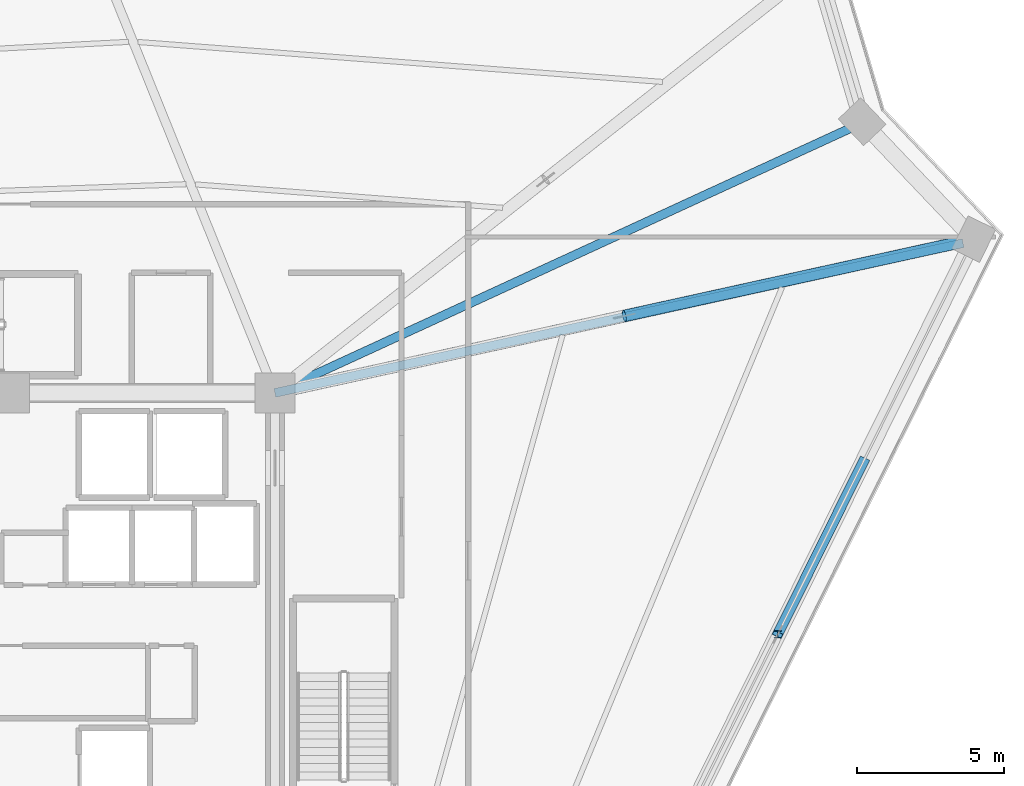
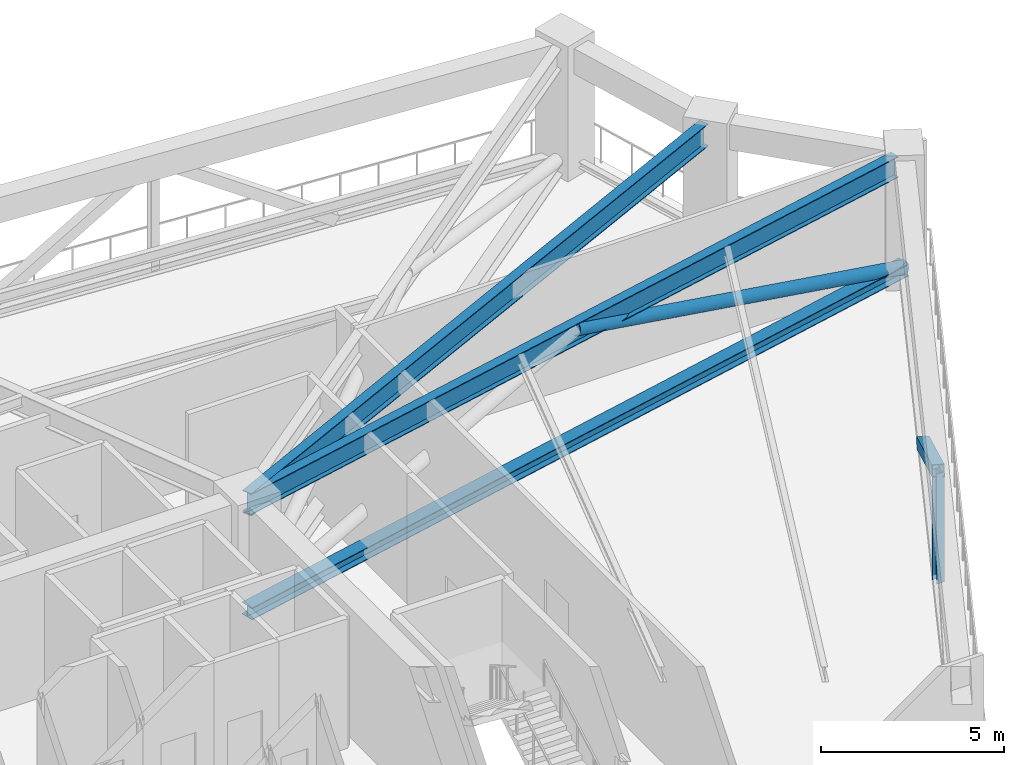
# One storey, part 9 of 25: 4 members, 2 beams.
"""IFC4 building model written with IfcOpenShell, lengths in metres."""

from ifc_helpers import new_model, si_unit, direction, frame, origin, origin_2d, place, context, subcontext, project, spatial, hollow_rectangle, hollow_circle, i_section, extrude, source, transform, mapped, material, material_profile, profile_set, type_object, element, save


model = new_model("IFC4")

# Units and contexts
model_context = context("Model", 3, precision=1e-05, world=origin(), true_north=direction((0.0, 1.0)))
body_context = subcontext(model_context, "Body", "Model", "MODEL_VIEW")
ifc_project = project(units=[si_unit("LENGTHUNIT", "METRE"), si_unit("AREAUNIT", "SQUARE_METRE"), si_unit("VOLUMEUNIT", "CUBIC_METRE"), si_unit("PLANEANGLEUNIT", "RADIAN"), si_unit("MASSUNIT", "GRAM", prefix="KILO")], contexts=[model_context])

# Site, building, storey
site_placement = place(None, origin())
site = spatial("IfcSite", under=ifc_project, at=site_placement, CompositionType="ELEMENT")
building_placement = place(site_placement, origin())
building = spatial("IfcBuilding", under=site, at=building_placement, Name="Liaohun Quay Tower", CompositionType="ELEMENT")
storey_placement = place(building_placement, frame((0.0, 0.0, 231.75)))
storey = spatial("IfcBuildingStorey", under=building, at=storey_placement, Name="L60", CompositionType="ELEMENT", Elevation=231.75)

# Member
ifc_material_1 = material(Name="Steel Q355D", Category="steel")
ifc_material_profile_1 = material_profile(ifc_material_1, i_section(OverallWidth=0.25, OverallDepth=0.25, WebThickness=0.009033203125, FlangeThickness=0.013916015625, at=origin_2d()), Name="HW250x250x9x14")
ifc_profile_set_1 = profile_set([ifc_material_profile_1], Name="Steel Q355D")
member_type_1 = type_object("IfcMemberType", Name="MEM-BLT-PST", PredefinedType="POST", material=ifc_profile_set_1)
shared_shape_1 = source(origin(), body_context, "Body", "SweptSolid", [
    extrude(i_section(OverallWidth=0.25, OverallDepth=0.25, WebThickness=0.009033203125, FlangeThickness=0.013916015625, at=origin_2d()), origin(), (0.0, 0.0, 1.0), 3.669921875),
])
member_1_placement = place(storey_placement, frame((86.071044921875, 53.304931640625, 0.35009765625), z_axis=(0.0, 0.0, 1.0), x_axis=(1.0, 0.0, 0.0)))
element("IfcMember", 1, at=member_1_placement, inside=storey, type_object=member_type_1, Name="L60 Belt Truss Vertical Post BP-1-05", PredefinedType="POST", context=body_context, shape_type="MappedRepresentation", body=[
    mapped(shared_shape_1, transform((0.0, 0.0, 0.0), x_axis=(1.0, 0.0, 0.0), y_axis=(0.0, 1.0, 0.0), z_axis=(0.0, 0.0, 1.0), scale=1.0)),
])

# Beams
ifc_material_profile_2 = material_profile(ifc_material_1, i_section(OverallWidth=0.300048828125, OverallDepth=0.75, WebThickness=0.013916015625, FlangeThickness=0.02587890625, at=origin_2d()), Name="HN750x300x14x26")
ifc_profile_set_2 = profile_set([ifc_material_profile_2], Name="Steel Q355D")
beam_type_1 = type_object("IfcBeamType", Name="BM-RAD-M2", PredefinedType="BEAM", material=ifc_profile_set_2)
shared_shape_2 = source(origin(), body_context, "Body", "SweptSolid", [
    extrude(i_section(OverallWidth=0.300048828125, OverallDepth=0.75, WebThickness=0.013916015625, FlangeThickness=0.02587890625, at=origin_2d()), origin(), (0.0, 0.0, 1.0), 21.5947265625),
])
beam_1_placement = place(storey_placement, frame((69.0, 61.5, 3.945068359375), z_axis=(0.908503930052, 0.417876308349, 0.0), x_axis=(-0.417876308349, 0.908503930052, 0.0)))
element("IfcBeam", 2, at=beam_1_placement, inside=storey, type_object=beam_type_1, Name="L60 Radial Primary Girder CC4-PC08", PredefinedType="BEAM", context=body_context, shape_type="MappedRepresentation", body=[
    mapped(shared_shape_2, transform((0.0, 0.0, 0.0), x_axis=(1.0, 0.0, 0.0), y_axis=(0.0, 1.0, 0.0), z_axis=(0.0, 0.0, 1.0), scale=1.0)),
])
ifc_material_profile_3 = material_profile(ifc_material_1, i_section(OverallWidth=0.300048828125, OverallDepth=0.699951171875, WebThickness=0.012939453125, FlangeThickness=0.02392578125, at=origin_2d()), Name="HN700x300x13x24")
ifc_profile_set_3 = profile_set([ifc_material_profile_3], Name="Steel Q355D")
beam_type_2 = type_object("IfcBeamType", Name="BM-RAD-U1", PredefinedType="BEAM", material=ifc_profile_set_3)
shared_shape_3 = source(origin(), body_context, "Body", "SweptSolid", [
    extrude(i_section(OverallWidth=0.300048828125, OverallDepth=0.699951171875, WebThickness=0.012939453125, FlangeThickness=0.02392578125, at=origin_2d()), origin(), (0.0, 0.0, 1.0), 23.913818359375),
])
beam_2_placement = place(storey_placement, frame((69.0, 61.5, 3.969970703125), z_axis=(0.977131285161, 0.212636900746, 0.0), x_axis=(-0.212636900746, 0.977131285161, 0.0)))
element("IfcBeam", 3, at=beam_2_placement, inside=storey, type_object=beam_type_2, Name="L60 Radial Primary Girder CC4-PC09", PredefinedType="BEAM", context=body_context, shape_type="MappedRepresentation", body=[
    mapped(shared_shape_3, transform((0.0, 0.0, 0.0), x_axis=(1.0, 0.0, 0.0), y_axis=(0.0, 1.0, 0.0), z_axis=(0.0, 0.0, 1.0), scale=1.0)),
])

# Members
ifc_material_2 = material(Name="Steel Q420D", Category="steel")
ifc_material_profile_4 = material_profile(ifc_material_2, i_section(OverallWidth=0.407958984375, OverallDepth=0.39990234375, WebThickness=0.02099609375, FlangeThickness=0.02099609375, at=origin_2d()), Name="HW400x408x21x21")
ifc_profile_set_4 = profile_set([ifc_material_profile_4], Name="Steel Q420D")
member_type_2 = type_object("IfcMemberType", Name="MEM-OUT-CH2", PredefinedType="CHORD", material=ifc_profile_set_4)
shared_shape_4 = source(origin(), body_context, "Body", "SweptSolid", [
    extrude(i_section(OverallWidth=0.407958984375, OverallDepth=0.39990234375, WebThickness=0.02099609375, FlangeThickness=0.02099609375, at=origin_2d()), origin(), (0.0, 0.0, 1.0), 24.297119140625),
])
member_2_placement = place(storey_placement, frame((69.0, 61.5, 0.35009765625), z_axis=(0.976622701504, 0.214960691537, 0.0), x_axis=(-0.214960691537, 0.976622701504, 0.0)))
element("IfcMember", 4, at=member_2_placement, inside=storey, type_object=member_type_2, Name="L60 Outrigger Bottom Chord OC-05", PredefinedType="CHORD", context=body_context, shape_type="MappedRepresentation", body=[
    mapped(shared_shape_4, transform((0.0, 0.0, 0.0), x_axis=(1.0, 0.0, 0.0), y_axis=(0.0, 1.0, 0.0), z_axis=(0.0, 0.0, 1.0), scale=1.0)),
])
ifc_material_profile_5 = material_profile(ifc_material_2, hollow_circle(Radius=0.202880859375, WallThickness=0.01611328125, at=origin_2d()), Name="CHS406x16")
ifc_profile_set_5 = profile_set([ifc_material_profile_5], Name="Steel Q420D")
member_type_3 = type_object("IfcMemberType", Name="MEM-OUT-DG2", PredefinedType="BRACE", material=ifc_profile_set_5)
shared_shape_5 = source(origin(), body_context, "Body", "SweptSolid", [
    extrude(hollow_circle(Radius=0.202880859375, WallThickness=0.01611328125, at=origin_2d()), origin(), (0.0, 0.0, 1.0), 12.691162109375),
])
member_3_placement = place(storey_placement, frame((80.864013671875, 64.112060546875, 4.02001953125), z_axis=(0.934909895555, 0.205722883662, -0.289173965513), x_axis=(-0.214904335547, 0.976635104101, 0.0)))
element("IfcMember", 5, at=member_3_placement, inside=storey, type_object=member_type_3, Name="L60 Outrigger Diagonal OD-05B", PredefinedType="BRACE", context=body_context, shape_type="MappedRepresentation", body=[
    mapped(shared_shape_5, transform((0.0, 0.0, 0.0), x_axis=(1.0, 0.0, 0.0), y_axis=(0.0, 1.0, 0.0), z_axis=(0.0, 0.0, 1.0), scale=1.0)),
])
ifc_material_profile_6 = material_profile(ifc_material_1, hollow_rectangle(XDim=0.35009765625, YDim=0.35009765625, WallThickness=0.01611328125, at=origin_2d()), Name="SHS350x350x16")
ifc_profile_set_6 = profile_set([ifc_material_profile_6], Name="Steel Q355D")
member_type_4 = type_object("IfcMemberType", Name="MEM-BLT-DG2", PredefinedType="BRACE", material=ifc_profile_set_6)
shared_shape_6 = source(origin(), body_context, "Body", "SweptSolid", [
    extrude(hollow_rectangle(XDim=0.35009765625, YDim=0.35009765625, WallThickness=0.01611328125, at=origin_2d()), origin(), (0.0, 0.0, 1.0), 7.5439453125),
])
member_4_placement = place(storey_placement, frame((89.0009765625, 59.208984375, 0.35009765625), z_axis=(-0.388383399547, -0.782624427236, 0.486474398967), x_axis=(0.895764057119, -0.444529812244, 0.0)))
element("IfcMember", 6, at=member_4_placement, inside=storey, type_object=member_type_4, Name="L60 Belt Truss Diagonal BD-05A", PredefinedType="BRACE", context=body_context, shape_type="MappedRepresentation", body=[
    mapped(shared_shape_6, transform((0.0, 0.0, 0.0), x_axis=(1.0, 0.0, 0.0), y_axis=(0.0, 1.0, 0.0), z_axis=(0.0, 0.0, 1.0), scale=1.0)),
])

save(model, "model.ifc")
